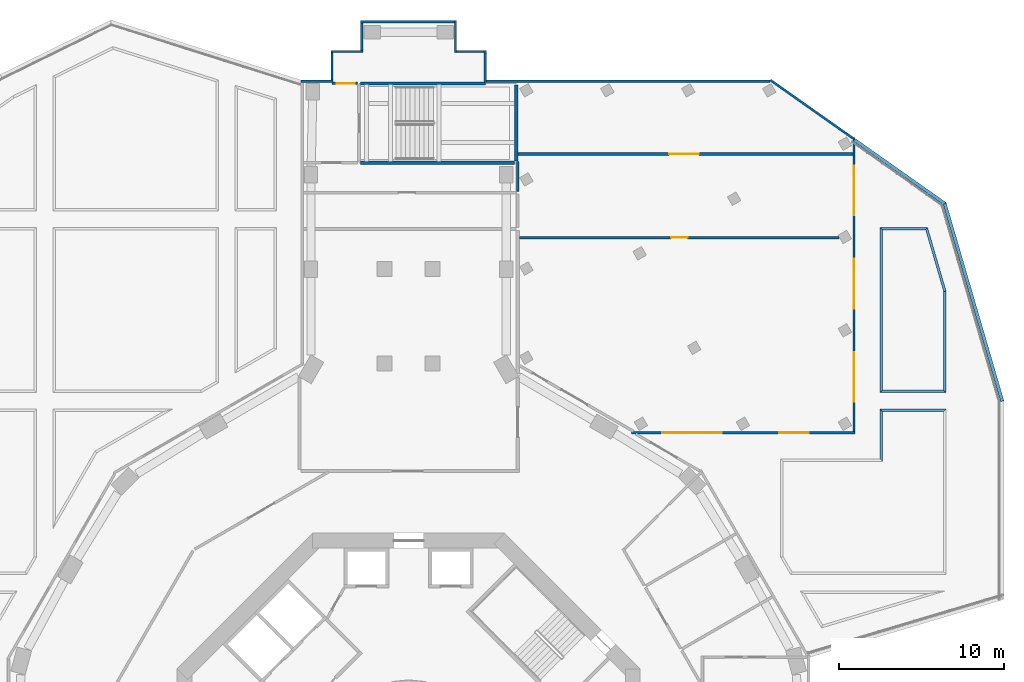
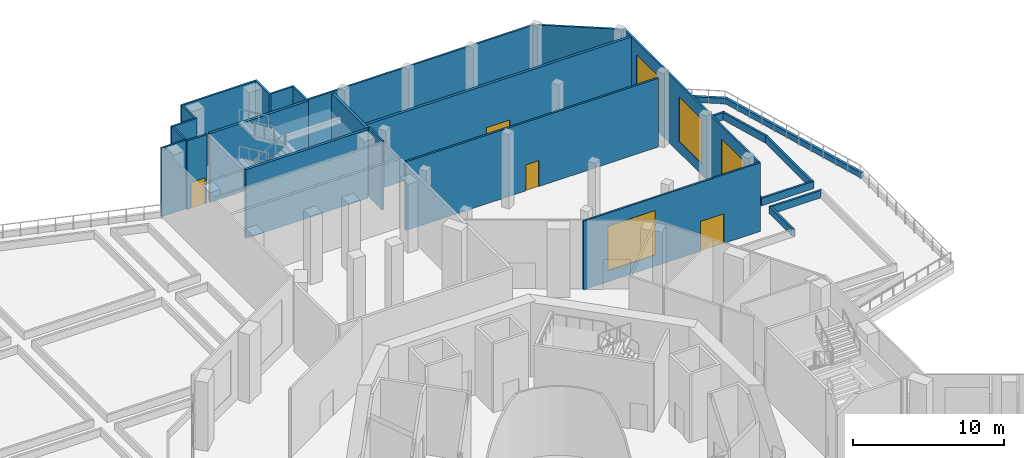
# One storey, part 10 of 29: 28 walls, 4 doors, 4 windows, 8 openings.
"""IFC4 building model written with IfcOpenShell, lengths in metres."""

from ifc_helpers import new_model, si_unit, direction, frame, frame_2d, origin, place, context, subcontext, project, spatial, polyline, rectangle, outline, extrude, material, layer, layer_set, type_object, element, fill, save


model = new_model("IFC4")

# Units and contexts
model_context = context("Model", 3, precision=1e-05, world=origin(), true_north=direction((0.0, 1.0)))
body_context = subcontext(model_context, "Body", "Model", "MODEL_VIEW")
ifc_project = project(units=[si_unit("LENGTHUNIT", "METRE"), si_unit("AREAUNIT", "SQUARE_METRE"), si_unit("VOLUMEUNIT", "CUBIC_METRE"), si_unit("PLANEANGLEUNIT", "RADIAN"), si_unit("MASSUNIT", "GRAM", prefix="KILO")], contexts=[model_context])

# Site, building, storey
site_placement = place(None, origin())
site = spatial("IfcSite", under=ifc_project, at=site_placement, CompositionType="ELEMENT")
building_placement = place(site_placement, origin())
building = spatial("IfcBuilding", under=site, at=building_placement, Name="Verdalira Terraces Hotel", CompositionType="ELEMENT")
storey_placement = place(building_placement, frame((0.0, 0.0, 8.0)))
storey = spatial("IfcBuildingStorey", under=building, at=storey_placement, Name="L01", CompositionType="ELEMENT", Elevation=8.0)

# Wall, opening, door
ifc_material_1 = material(Name="Concrete block masonry", Category="masonry")
ifc_layer_1 = layer(ifc_material_1, 0.199951171875)
ifc_layer_set_1 = layer_set([ifc_layer_1], Name="Fire-rated masonry wall 200 mm")
wall_type_1 = type_object("IfcWallType", Name="Fire-rated masonry wall 200 mm", PredefinedType="SOLIDWALL", material=ifc_layer_set_1)
wall_1_placement = place(storey_placement, frame((26.860107, 36.929443, 0.0), z_axis=(0.0, 0.0, 1.0), x_axis=(-1.0, 0.0, 0.0)))
wall_1 = element("IfcWall", 1, at=wall_1_placement, inside=storey, type_object=wall_type_1, Name="Plant and kitchen enclosure wall", PredefinedType="SOLIDWALL", context=body_context, shape_type="SweptSolid", body=[
    extrude(rectangle(XDim=20.26001, YDim=0.199951, at=frame_2d((10.129883, 0.0))), origin(), (0.0, 0.0, 1.0), 5.550049),
])
opening_1_placement = place(wall_1_placement, frame((9.310059, 0.0, 0.0)))
opening_1 = element("IfcOpeningElement", 2, at=opening_1_placement, cuts=wall_1, Name="Opening L01-D15", PredefinedType="OPENING", context=body_context, shape_type="SweptSolid", body=[
    extrude(rectangle(XDim=1.800049, YDim=2.100098, at=frame_2d((0.899902, 1.050049))), frame((0.0, 0.109863, 0.0), z_axis=(0.0, -1.0, 0.0), x_axis=(1.0, 0.0, 0.0)), (0.0, 0.0, 1.0), 0.219971),
])
ifc_material_2 = material(Name="Steel fire door", Category="steel")
door_type_1 = type_object("IfcDoorType", Name="Fire door pair 1800 x 2100", OperationType="DOUBLE_DOOR_SINGLE_SWING", PredefinedType="DOOR", material=ifc_material_2)
door_1_placement = place(opening_1_placement, origin())
door_1 = element("IfcDoor", 3, at=door_1_placement, inside=storey, type_object=door_type_1, Name="Staff locker and changing room door", OperationType="DOUBLE_DOOR_SINGLE_SWING", OverallHeight=2.10009765625, OverallWidth=1.800048828125, PredefinedType="DOOR", context=body_context, shape_type="SweptSolid", body=[
    extrude(rectangle(XDim=1.800049, YDim=2.100098, at=frame_2d((0.899902, 1.050049))), frame((0.0, 0.024902, 0.0), z_axis=(0.0, -1.0, 0.0), x_axis=(1.0, 0.0, 0.0)), (0.0, 0.0, 1.0), 0.050049),
])
fill(opening_1, door_1)

ifc_material_3 = material(Name="Gypsum board partition on steel stud", Category="steel")
ifc_layer_2 = layer(ifc_material_3, 0.14990234375)
ifc_layer_set_2 = layer_set([ifc_layer_2], Name="Fire-rated partition 150 mm")
wall_type_2 = type_object("IfcWallType", Name="Fire-rated partition 150 mm", PredefinedType="PARTITIONING", material=ifc_layer_set_2)
wall_2_placement = place(storey_placement, frame((-4.64502, 41.199951, 0.0), z_axis=(0.0, 0.0, 1.0), x_axis=(1.0, 0.0, 0.0)))
wall_2 = element("IfcWall", 4, at=wall_2_placement, inside=storey, type_object=wall_type_2, Name="Partition", PredefinedType="PARTITIONING", context=body_context, shape_type="SweptSolid", body=[
    extrude(rectangle(XDim=1.545166, YDim=0.149902, at=frame_2d((0.772461, 0.0))), origin(), (0.0, 0.0, 1.0), 5.550049),
])
opening_2_placement = place(wall_2_placement, frame((0.29541, 0.0, 0.0)))
opening_2 = element("IfcOpeningElement", 5, at=opening_2_placement, cuts=wall_2, Name="Opening L01-D12", PredefinedType="OPENING", context=body_context, shape_type="SweptSolid", body=[
    extrude(rectangle(XDim=1.100098, YDim=2.100098, at=frame_2d((0.550049, 1.050049))), frame((0.0, 0.084961, 0.0), z_axis=(0.0, -1.0, 0.0), x_axis=(1.0, 0.0, 0.0)), (0.0, 0.0, 1.0), 0.169922),
])
ifc_material_4 = material(Name="Steel fire door", Category="steel")
door_type_2 = type_object("IfcDoorType", Name="Stair door 1100 x 2100", OperationType="SINGLE_SWING_LEFT", PredefinedType="DOOR", material=ifc_material_4)
door_2_placement = place(opening_2_placement, origin())
door_2 = element("IfcDoor", 6, at=door_2_placement, inside=storey, type_object=door_type_2, Name="Stair door Stair vestibule PS1", OperationType="SINGLE_SWING_LEFT", OverallHeight=2.10009765625, OverallWidth=1.10009765625, PredefinedType="DOOR", context=body_context, shape_type="SweptSolid", body=[
    extrude(rectangle(XDim=1.100098, YDim=2.100098, at=frame_2d((0.550049, 1.050049))), frame((0.0, 0.024902, 0.0), z_axis=(0.0, -1.0, 0.0), x_axis=(1.0, 0.0, 0.0)), (0.0, 0.0, 1.0), 0.050049),
])
fill(opening_2, door_2)

# Wall
wall_3_placement = place(storey_placement, frame((6.600098, 34.674805, 0.0), z_axis=(0.0, 0.0, 1.0), x_axis=(0.0, 1.0, 0.0)))
element("IfcWall", 7, at=wall_3_placement, inside=storey, type_object=wall_type_2, Name="Partition", PredefinedType="PARTITIONING", context=body_context, shape_type="SweptSolid", body=[
    extrude(rectangle(XDim=1.800293, YDim=0.149902, at=frame_2d((0.900146, 0.0))), origin(), (0.0, 0.0, 1.0), 5.550049),
])

# Wall, opening, door
wall_4_placement = place(storey_placement, frame((6.699951, 31.878418, 0.0), z_axis=(0.0, 0.0, 1.0), x_axis=(1.0, 0.0, 0.0)))
wall_4 = element("IfcWall", 8, at=wall_4_placement, inside=storey, type_object=wall_type_2, Name="Partition", PredefinedType="PARTITIONING", context=body_context, shape_type="SweptSolid", body=[
    extrude(rectangle(XDim=19.317139, YDim=0.149902, at=frame_2d((9.658691, 0.0))), origin(), (0.0, 0.0, 1.0), 5.550049),
])
opening_3_placement = place(wall_4_placement, frame((9.166992, 0.0, 0.0)))
opening_3 = element("IfcOpeningElement", 9, at=opening_3_placement, cuts=wall_4, Name="Opening L01-D29", PredefinedType="OPENING", context=body_context, shape_type="SweptSolid", body=[
    extrude(rectangle(XDim=1.0, YDim=2.100098, at=frame_2d((0.5, 1.050049))), frame((0.0, 0.084961, 0.0), z_axis=(0.0, -1.0, 0.0), x_axis=(1.0, 0.0, 0.0)), (0.0, 0.0, 1.0), 0.169922),
])
ifc_material_5 = material(Name="Steel fire door", Category="steel")
door_type_3 = type_object("IfcDoorType", Name="Fire door 1000 x 2100", OperationType="SINGLE_SWING_LEFT", PredefinedType="DOOR", material=ifc_material_5)
door_3_placement = place(opening_3_placement, origin())
door_3 = element("IfcDoor", 10, at=door_3_placement, inside=storey, type_object=door_type_3, Name="Staff locker and changing room door", OperationType="SINGLE_SWING_RIGHT", OverallHeight=2.10009765625, OverallWidth=1.0, PredefinedType="DOOR", context=body_context, shape_type="SweptSolid", body=[
    extrude(rectangle(XDim=1.0, YDim=2.100098, at=frame_2d((0.5, 1.050049))), frame((0.0, 0.024902, 0.0), z_axis=(0.0, -1.0, 0.0), x_axis=(1.0, 0.0, 0.0)), (0.0, 0.0, 1.0), 0.050049),
])
fill(opening_3, door_3)

# Walls
ifc_material_6 = material(Name="Concrete C50", Category="concrete")
ifc_layer_3 = layer(ifc_material_6, 0.199951171875)
ifc_layer_set_3 = layer_set([ifc_layer_3], Name="Stair enclosure wall 200 mm")
wall_type_3 = type_object("IfcWallType", Name="Stair enclosure wall 200 mm", PredefinedType="SOLIDWALL", material=ifc_layer_set_3)
wall_5_placement = place(storey_placement, frame((-2.900146, 36.399902, 0.0), z_axis=(0.0, 0.0, 1.0), x_axis=(1.0, 0.0, 0.0)))
element("IfcWall", 11, at=wall_5_placement, inside=storey, type_object=wall_type_3, Name="Stair enclosure wall", PredefinedType="SOLIDWALL", context=body_context, shape_type="SweptSolid", body=[
    extrude(rectangle(XDim=9.300293, YDim=0.199951, at=frame_2d((4.650146, 0.0))), origin(), (0.0, 0.0, 1.0), 5.550049),
])
wall_6_placement = place(storey_placement, frame((6.5, 36.5, 0.0), z_axis=(0.0, 0.0, 1.0), x_axis=(0.0, 1.0, 0.0)))
element("IfcWall", 12, at=wall_6_placement, inside=storey, type_object=wall_type_3, Name="Stair enclosure wall", PredefinedType="SOLIDWALL", context=body_context, shape_type="SweptSolid", body=[
    extrude(rectangle(XDim=4.600098, YDim=0.199951, at=frame_2d((2.300049, 0.0))), origin(), (0.0, 0.0, 1.0), 5.550049),
])
wall_7_placement = place(storey_placement, frame((4.64502, 41.199951, 0.0), z_axis=(0.0, 0.0, 1.0), x_axis=(-1.0, 0.0, 0.0)))
element("IfcWall", 13, at=wall_7_placement, inside=storey, type_object=wall_type_3, Name="Stair enclosure wall", PredefinedType="SOLIDWALL", context=body_context, shape_type="SweptSolid", body=[
    extrude(rectangle(XDim=7.545166, YDim=0.199951, at=frame_2d((3.772461, 0.0))), origin(), (0.0, 0.0, 1.0), 5.550049),
])
ifc_material_7 = material(Name="Concrete C40", Category="concrete")
ifc_layer_4 = layer(ifc_material_7, 0.14990234375)
ifc_layer_set_4 = layer_set([ifc_layer_4], Name="Terrace planter trough 150 x 600")
wall_type_4 = type_object("IfcWallType", Name="Terrace planter trough 150 x 600", PredefinedType="SOLIDWALL", material=ifc_layer_set_4)
wall_8_placement = place(storey_placement, origin())
element("IfcWall", 14, at=wall_8_placement, inside=storey, type_object=wall_type_4, Name="Terrace planting bed trough", PredefinedType="SOLIDWALL", context=body_context, shape_type="SweptSolid", body=[
    extrude(outline(polyline([(32.5, 28.642822), (31.375, 32.5), (31.262451, 32.350098), (32.350098, 28.621338), (32.5, 28.642822)])), origin(), (0.0, 0.0, 1.0), 0.600098),
])
wall_9_placement = place(storey_placement, origin())
element("IfcWall", 15, at=wall_9_placement, inside=storey, type_object=wall_type_4, Name="Terrace planting bed trough", PredefinedType="SOLIDWALL", context=body_context, shape_type="SweptSolid", body=[
    extrude(outline(polyline([(31.375, 32.5), (28.5, 32.5), (28.649902, 32.350098), (31.262451, 32.350098), (31.375, 32.5)])), origin(), (0.0, 0.0, 1.0), 0.600098),
])
wall_10_placement = place(storey_placement, origin())
element("IfcWall", 16, at=wall_10_placement, inside=storey, type_object=wall_type_4, Name="Terrace planting bed trough", PredefinedType="SOLIDWALL", context=body_context, shape_type="SweptSolid", body=[
    extrude(outline(polyline([(28.5, 32.5), (28.5, 22.5), (28.649902, 22.649902), (28.649902, 32.350098), (28.5, 32.5)])), origin(), (0.0, 0.0, 1.0), 0.600098),
])
wall_11_placement = place(storey_placement, origin())
element("IfcWall", 17, at=wall_11_placement, inside=storey, type_object=wall_type_4, Name="Terrace planting bed trough", PredefinedType="SOLIDWALL", context=body_context, shape_type="SweptSolid", body=[
    extrude(outline(polyline([(28.5, 22.5), (32.5, 22.5), (32.350098, 22.649902), (28.649902, 22.649902), (28.5, 22.5)])), origin(), (0.0, 0.0, 1.0), 0.600098),
])
wall_12_placement = place(storey_placement, origin())
element("IfcWall", 18, at=wall_12_placement, inside=storey, type_object=wall_type_4, Name="Terrace planting bed trough", PredefinedType="SOLIDWALL", context=body_context, shape_type="SweptSolid", body=[
    extrude(outline(polyline([(32.5, 22.5), (32.5, 28.642822), (32.350098, 28.621338), (32.350098, 22.649902), (32.5, 22.5)])), origin(), (0.0, 0.0, 1.0), 0.600098),
])
wall_13_placement = place(storey_placement, origin())
element("IfcWall", 19, at=wall_13_placement, inside=storey, type_object=wall_type_4, Name="Terrace planting bed trough", PredefinedType="SOLIDWALL", context=body_context, shape_type="SweptSolid", body=[
    extrude(outline(polyline([(32.5, 21.5), (28.5, 21.5), (28.649902, 21.350098), (32.350098, 21.350098), (32.5, 21.5)])), origin(), (0.0, 0.0, 1.0), 0.600098),
])
wall_14_placement = place(storey_placement, origin())
element("IfcWall", 20, at=wall_14_placement, inside=storey, type_object=wall_type_4, Name="Terrace planting bed trough", PredefinedType="SOLIDWALL", context=body_context, shape_type="SweptSolid", body=[
    extrude(outline(polyline([(28.5, 21.5), (28.5, 18.5), (28.649902, 18.350098), (28.649902, 21.350098), (28.5, 21.5)])), origin(), (0.0, 0.0, 1.0), 0.600098),
])
ifc_material_8 = material(Name="Concrete C40", Category="concrete")
ifc_layer_5 = layer(ifc_material_8, 0.199951171875)
ifc_layer_set_5 = layer_set([ifc_layer_5], Name="Terrace upstand 200 x 450")
wall_type_5 = type_object("IfcWallType", Name="Terrace upstand 200 x 450", PredefinedType="SOLIDWALL", material=ifc_layer_set_5)
wall_15_placement = place(storey_placement, origin())
element("IfcWall", 21, at=wall_15_placement, inside=storey, type_object=wall_type_5, Name="Terrace upstand", PredefinedType="SOLIDWALL", context=body_context, shape_type="SweptSolid", body=[
    extrude(outline(polyline([(35.800049, 21.971436), (36.0, 22.0), (32.5, 34.0), (32.327637, 33.876709), (35.800049, 21.971436)])), origin(), (0.0, 0.0, 1.0), 0.449951),
])
wall_16_placement = place(storey_placement, origin())
element("IfcWall", 22, at=wall_16_placement, inside=storey, type_object=wall_type_5, Name="Terrace upstand", PredefinedType="SOLIDWALL", context=body_context, shape_type="SweptSolid", body=[
    extrude(outline(polyline([(32.327637, 33.876709), (32.5, 34.0), (27.0, 37.876221), (26.884766, 37.712646), (32.327637, 33.876709)])), origin(), (0.0, 0.0, 1.0), 0.449951),
])
ifc_material_9 = material(Name="Concrete C40", Category="concrete")
ifc_layer_6 = layer(ifc_material_9, 0.139892578125)
ifc_layer_set_6 = layer_set([ifc_layer_6], Name="Terracotta clad concrete wall C40 140 mm")
wall_type_6 = type_object("IfcWallType", Name="Terracotta clad concrete wall C40 140 mm", PredefinedType="SOLIDWALL", material=ifc_layer_set_6)
wall_17_placement = place(storey_placement, frame((21.856201, 41.330078, 0.0), z_axis=(0.0, 0.0, 1.0), x_axis=(-1.0, 0.0, 0.0)))
element("IfcWall", 23, at=wall_17_placement, inside=storey, type_object=wall_type_6, Name="Podium facade wall", PredefinedType="SOLIDWALL", context=body_context, shape_type="SweptSolid", body=[
    extrude(rectangle(XDim=17.15625, YDim=0.139893, at=frame_2d((8.578125, 0.0))), origin(), (0.0, 0.0, 1.0), 5.550049),
])
wall_18_placement = place(storey_placement, frame((4.629883, 41.26001, 0.0), z_axis=(0.0, 0.0, 1.0), x_axis=(0.0, 1.0, 0.0)))
element("IfcWall", 24, at=wall_18_placement, inside=storey, type_object=wall_type_6, Name="Podium facade wall", PredefinedType="SOLIDWALL", context=body_context, shape_type="SweptSolid", body=[
    extrude(rectangle(XDim=1.939941, YDim=0.139893, at=frame_2d((0.969971, 0.0))), origin(), (0.0, 0.0, 1.0), 5.550049),
])

# Wall, openings, window, door
ifc_material_10 = material(Name="Terracotta cladding on steel stud backup", Category="masonry")
ifc_layer_7 = layer(ifc_material_10, 0.139892578125)
ifc_layer_set_7 = layer_set([ifc_layer_7], Name="Terracotta clad wall 140 mm")
wall_type_7 = type_object("IfcWallType", Name="Terracotta clad wall 140 mm", PredefinedType="SOLIDWALL", material=ifc_layer_set_7)
wall_19_placement = place(storey_placement, frame((27.0, 20.070068, 0.0), z_axis=(0.0, 0.0, 1.0), x_axis=(-1.0, 0.0, 0.0)))
wall_19 = element("IfcWall", 25, at=wall_19_placement, inside=storey, type_object=wall_type_7, Name="Podium facade wall", PredefinedType="SOLIDWALL", context=body_context, shape_type="SweptSolid", body=[
    extrude(rectangle(XDim=13.525635, YDim=0.139893, at=frame_2d((6.762695, 0.0))), origin(), (0.0, 0.0, 1.0), 5.550049),
])
opening_4_placement = place(wall_19_placement, frame((8.073486, 0.0, 0.899902)))
opening_4 = element("IfcOpeningElement", 26, at=opening_4_placement, cuts=wall_19, Name="Opening WP", PredefinedType="OPENING", context=body_context, shape_type="SweptSolid", body=[
    extrude(rectangle(XDim=3.600098, YDim=3.600098, at=frame_2d((1.800049, 1.800049))), frame((0.0, 0.079834, 0.0), z_axis=(0.0, -1.0, 0.0), x_axis=(1.0, 0.0, 0.0)), (0.0, 0.0, 1.0), 0.159912),
])
opening_5_placement = place(wall_19_placement, frame((2.804688, 0.0, 0.0)))
opening_5 = element("IfcOpeningElement", 27, at=opening_5_placement, cuts=wall_19, Name="Opening L01-T02", PredefinedType="OPENING", context=body_context, shape_type="SweptSolid", body=[
    extrude(rectangle(XDim=1.800049, YDim=2.399902, at=frame_2d((0.899902, 1.199951))), frame((0.0, 0.079834, 0.0), z_axis=(0.0, -1.0, 0.0), x_axis=(1.0, 0.0, 0.0)), (0.0, 0.0, 1.0), 0.159912),
])
ifc_material_11 = material(Name="Clear double glazing in aluminium frame", Category="aluminium")
window_type_1 = type_object("IfcWindowType", Name="Podium window 3600 x 3600", PartitioningType="SINGLE_PANEL", PredefinedType="WINDOW", material=ifc_material_11)
window_1_placement = place(opening_4_placement, origin())
window_1 = element("IfcWindow", 28, at=window_1_placement, inside=storey, type_object=window_type_1, Name="Podium window", OverallHeight=3.60009765625, OverallWidth=3.60009765625, PartitioningType="SINGLE_PANEL", PredefinedType="WINDOW", context=body_context, shape_type="SweptSolid", body=[
    extrude(rectangle(XDim=3.600098, YDim=3.600098, at=frame_2d((1.800049, 1.800049))), frame((0.0, 0.030029, 0.0), z_axis=(0.0, -1.0, 0.0), x_axis=(1.0, 0.0, 0.0)), (0.0, 0.0, 1.0), 0.060059),
])
fill(opening_4, window_1)
ifc_material_12 = material(Name="Glazed aluminium door", Category="aluminium")
door_type_4 = type_object("IfcDoorType", Name="Terrace door pair 1800 x 2400", OperationType="DOUBLE_DOOR_SINGLE_SWING", PredefinedType="DOOR", material=ifc_material_12)
door_4_placement = place(opening_5_placement, origin())
door_4 = element("IfcDoor", 29, at=door_4_placement, inside=storey, type_object=door_type_4, Name="Terrace door", OperationType="DOUBLE_DOOR_SINGLE_SWING", OverallHeight=2.39990234375, OverallWidth=1.800048828125, PredefinedType="DOOR", context=body_context, shape_type="SweptSolid", body=[
    extrude(rectangle(XDim=1.800049, YDim=2.399902, at=frame_2d((0.899902, 1.199951))), frame((0.0, 0.024902, 0.0), z_axis=(0.0, -1.0, 0.0), x_axis=(1.0, 0.0, 0.0)), (0.0, 0.0, 1.0), 0.050049),
])
fill(opening_5, door_4)

# Wall, openings, windows
wall_20_placement = place(storey_placement, frame((26.929932, 20.139893, 0.0), z_axis=(0.0, 0.0, 1.0), x_axis=(0.0, 1.0, 0.0)))
wall_20 = element("IfcWall", 30, at=wall_20_placement, inside=storey, type_object=wall_type_7, Name="Podium facade wall", PredefinedType="SOLIDWALL", context=body_context, shape_type="SweptSolid", body=[
    extrude(rectangle(XDim=17.785645, YDim=0.139893, at=frame_2d((8.892822, 0.0))), origin(), (0.0, 0.0, 1.0), 5.550049),
])
opening_6_placement = place(wall_20_placement, frame((1.80249, 0.0, 0.899902)))
opening_6 = element("IfcOpeningElement", 31, at=opening_6_placement, cuts=wall_20, Name="Opening WP", PredefinedType="OPENING", context=body_context, shape_type="SweptSolid", body=[
    extrude(rectangle(XDim=3.0, YDim=3.600098, at=frame_2d((1.5, 1.800049))), frame((0.0, 0.079834, 0.0), z_axis=(0.0, -1.0, 0.0), x_axis=(1.0, 0.0, 0.0)), (0.0, 0.0, 1.0), 0.159912),
])
opening_7_placement = place(wall_20_placement, frame((7.44751, 0.0, 0.899902)))
opening_7 = element("IfcOpeningElement", 32, at=opening_7_placement, cuts=wall_20, Name="Opening WP", PredefinedType="OPENING", context=body_context, shape_type="SweptSolid", body=[
    extrude(rectangle(XDim=3.0, YDim=3.600098, at=frame_2d((1.5, 1.800049))), frame((0.0, 0.079834, 0.0), z_axis=(0.0, -1.0, 0.0), x_axis=(1.0, 0.0, 0.0)), (0.0, 0.0, 1.0), 0.159912),
])
opening_8_placement = place(wall_20_placement, frame((13.092285, 0.0, 0.899902)))
opening_8 = element("IfcOpeningElement", 33, at=opening_8_placement, cuts=wall_20, Name="Opening WP", PredefinedType="OPENING", context=body_context, shape_type="SweptSolid", body=[
    extrude(rectangle(XDim=3.0, YDim=3.600098, at=frame_2d((1.5, 1.800049))), frame((0.0, 0.079834, 0.0), z_axis=(0.0, -1.0, 0.0), x_axis=(1.0, 0.0, 0.0)), (0.0, 0.0, 1.0), 0.159912),
])
ifc_material_13 = material(Name="Clear double glazing in aluminium frame", Category="aluminium")
window_type_2 = type_object("IfcWindowType", Name="Podium window 3000 x 3600", PartitioningType="SINGLE_PANEL", PredefinedType="WINDOW", material=ifc_material_13)
window_2_placement = place(opening_6_placement, origin())
window_2 = element("IfcWindow", 34, at=window_2_placement, inside=storey, type_object=window_type_2, Name="Podium window", OverallHeight=3.60009765625, OverallWidth=3.0, PartitioningType="SINGLE_PANEL", PredefinedType="WINDOW", context=body_context, shape_type="SweptSolid", body=[
    extrude(rectangle(XDim=3.0, YDim=3.600098, at=frame_2d((1.5, 1.800049))), frame((0.0, 0.030029, 0.0), z_axis=(0.0, -1.0, 0.0), x_axis=(1.0, 0.0, 0.0)), (0.0, 0.0, 1.0), 0.060059),
])
fill(opening_6, window_2)
window_3_placement = place(opening_7_placement, origin())
window_3 = element("IfcWindow", 35, at=window_3_placement, inside=storey, type_object=window_type_2, Name="Podium window", OverallHeight=3.60009765625, OverallWidth=3.0, PartitioningType="SINGLE_PANEL", PredefinedType="WINDOW", context=body_context, shape_type="SweptSolid", body=[
    extrude(rectangle(XDim=3.0, YDim=3.600098, at=frame_2d((1.5, 1.800049))), frame((0.0, 0.030029, 0.0), z_axis=(0.0, -1.0, 0.0), x_axis=(1.0, 0.0, 0.0)), (0.0, 0.0, 1.0), 0.060059),
])
fill(opening_7, window_3)
window_4_placement = place(opening_8_placement, origin())
window_4 = element("IfcWindow", 36, at=window_4_placement, inside=storey, type_object=window_type_2, Name="Podium window", OverallHeight=3.60009765625, OverallWidth=3.0, PartitioningType="SINGLE_PANEL", PredefinedType="WINDOW", context=body_context, shape_type="SweptSolid", body=[
    extrude(rectangle(XDim=3.0, YDim=3.600098, at=frame_2d((1.5, 1.800049))), frame((0.0, 0.030029, 0.0), z_axis=(0.0, -1.0, 0.0), x_axis=(1.0, 0.0, 0.0)), (0.0, 0.0, 1.0), 0.060059),
])
fill(opening_8, window_4)

# Walls
wall_21_placement = place(storey_placement, frame((26.860107, 37.88916, 0.0), z_axis=(0.0, 0.0, 1.0), x_axis=(-0.817411697, 0.576053919, 0.0)))
element("IfcWall", 37, at=wall_21_placement, inside=storey, type_object=wall_type_7, Name="Podium facade wall", PredefinedType="SOLIDWALL", context=body_context, shape_type="SweptSolid", body=[
    extrude(rectangle(XDim=6.094482, YDim=0.139893, at=frame_2d((3.047363, 0.0))), origin(), (0.0, 0.0, 1.0), 5.550049),
])
wall_22_placement = place(storey_placement, frame((4.560059, 43.129883, 0.0), z_axis=(0.0, 0.0, 1.0), x_axis=(-1.0, 0.0, 0.0)))
element("IfcWall", 38, at=wall_22_placement, inside=storey, type_object=wall_type_7, Name="Podium facade wall", PredefinedType="SOLIDWALL", context=body_context, shape_type="SweptSolid", body=[
    extrude(rectangle(XDim=1.660156, YDim=0.139893, at=frame_2d((0.830078, 0.0))), origin(), (0.0, 0.0, 1.0), 5.550049),
])
wall_23_placement = place(storey_placement, frame((2.830078, 43.060059, 0.0), z_axis=(0.0, 0.0, 1.0), x_axis=(0.0, 1.0, 0.0)))
element("IfcWall", 39, at=wall_23_placement, inside=storey, type_object=wall_type_7, Name="Podium facade wall", PredefinedType="SOLIDWALL", context=body_context, shape_type="SweptSolid", body=[
    extrude(rectangle(XDim=1.939941, YDim=0.139893, at=frame_2d((0.969971, 0.0))), origin(), (0.0, 0.0, 1.0), 5.550049),
])
wall_24_placement = place(storey_placement, frame((2.76001, 44.929932, 0.0), z_axis=(0.0, 0.0, 1.0), x_axis=(-1.0, 0.0, 0.0)))
element("IfcWall", 40, at=wall_24_placement, inside=storey, type_object=wall_type_7, Name="Podium facade wall", PredefinedType="SOLIDWALL", context=body_context, shape_type="SweptSolid", body=[
    extrude(rectangle(XDim=5.659912, YDim=0.139893, at=frame_2d((2.830078, 0.0))), origin(), (0.0, 0.0, 1.0), 5.550049),
])
wall_25_placement = place(storey_placement, frame((-2.830078, 44.860107, 0.0), z_axis=(0.0, 0.0, 1.0), x_axis=(0.0, -1.0, 0.0)))
element("IfcWall", 41, at=wall_25_placement, inside=storey, type_object=wall_type_7, Name="Podium facade wall", PredefinedType="SOLIDWALL", context=body_context, shape_type="SweptSolid", body=[
    extrude(rectangle(XDim=1.660156, YDim=0.139893, at=frame_2d((0.830078, 0.0))), origin(), (0.0, 0.0, 1.0), 5.550049),
])
wall_26_placement = place(storey_placement, frame((-2.76001, 43.129883, 0.0), z_axis=(0.0, 0.0, 1.0), x_axis=(-1.0, 0.0, 0.0)))
element("IfcWall", 42, at=wall_26_placement, inside=storey, type_object=wall_type_7, Name="Podium facade wall", PredefinedType="SOLIDWALL", context=body_context, shape_type="SweptSolid", body=[
    extrude(rectangle(XDim=1.939941, YDim=0.139893, at=frame_2d((0.969971, 0.0))), origin(), (0.0, 0.0, 1.0), 5.550049),
])
wall_27_placement = place(storey_placement, frame((-4.629883, 43.060059, 0.0), z_axis=(0.0, 0.0, 1.0), x_axis=(0.0, -1.0, 0.0)))
element("IfcWall", 43, at=wall_27_placement, inside=storey, type_object=wall_type_7, Name="Podium facade wall", PredefinedType="SOLIDWALL", context=body_context, shape_type="SweptSolid", body=[
    extrude(rectangle(XDim=1.660156, YDim=0.139893, at=frame_2d((0.830078, 0.0))), origin(), (0.0, 0.0, 1.0), 5.550049),
])
wall_28_placement = place(storey_placement, frame((-4.560059, 41.330078, 0.0), z_axis=(0.0, 0.0, 1.0), x_axis=(-1.0, 0.0, 0.0)))
element("IfcWall", 44, at=wall_28_placement, inside=storey, type_object=wall_type_7, Name="Podium facade wall", PredefinedType="SOLIDWALL", context=body_context, shape_type="SweptSolid", body=[
    extrude(rectangle(XDim=1.939941, YDim=0.139893, at=frame_2d((0.969971, 0.0))), origin(), (0.0, 0.0, 1.0), 5.550049),
])

save(model, "model.ifc")
